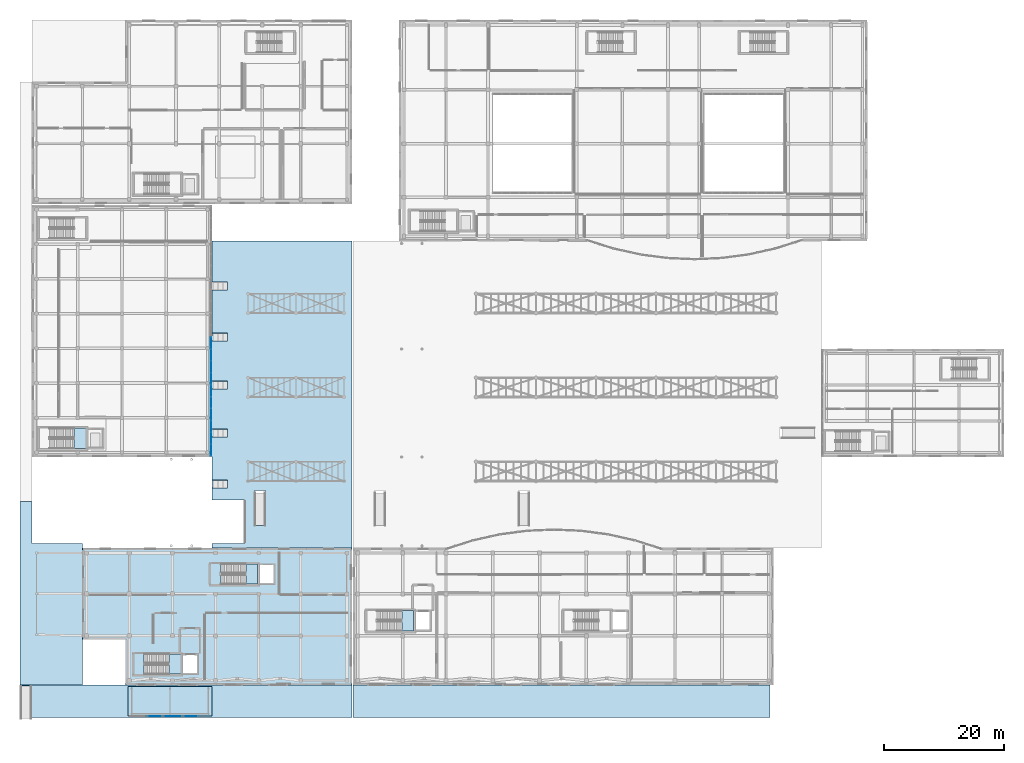
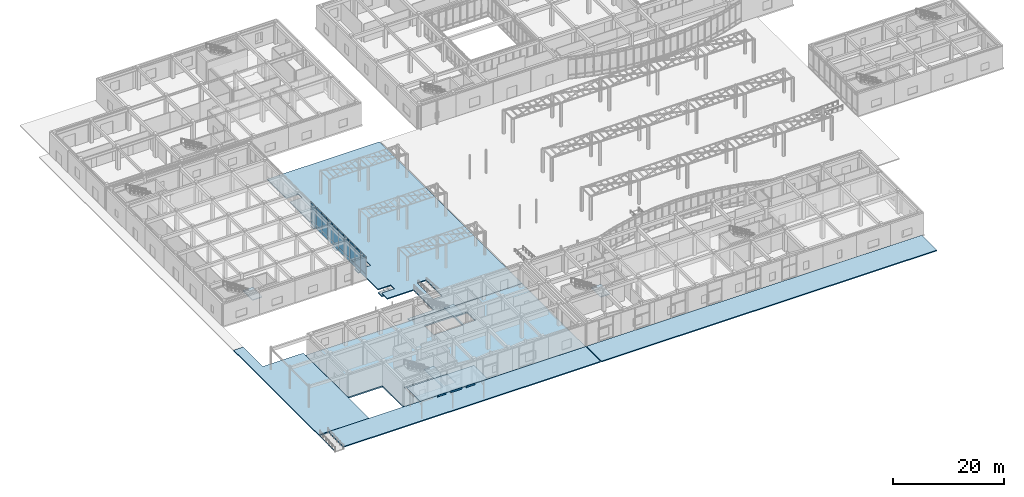
# One storey, part 79 of 121: 33 plates, 14 slabs, 8 elements without a shape of their own.
"""IFC4 building model written with IfcOpenShell, lengths in metres."""

from ifc_helpers import new_model, si_unit, direction, frame, origin, origin_2d, place, context, subcontext, project, spatial, polyline, rectangle, outline, extrude, material, layer, layer_set, type_object, element, aggregate, save


model = new_model("IFC4")

# Units and contexts
model_context = context("Model", 3, precision=1e-05, world=origin(), true_north=direction((0.0, 1.0)))
body_context = subcontext(model_context, "Body", "Model", "MODEL_VIEW")
ifc_project = project(units=[si_unit("LENGTHUNIT", "METRE"), si_unit("AREAUNIT", "SQUARE_METRE"), si_unit("VOLUMEUNIT", "CUBIC_METRE"), si_unit("PLANEANGLEUNIT", "RADIAN"), si_unit("MASSUNIT", "GRAM", prefix="KILO")], contexts=[model_context])

# Site, building, storey
site_placement = place(None, origin())
site = spatial("IfcSite", under=ifc_project, at=site_placement, CompositionType="ELEMENT")
building_placement = place(site_placement, origin())
building = spatial("IfcBuilding", under=site, at=building_placement, Name="Valcora Specialist Clinic", CompositionType="ELEMENT")
storey_placement = place(building_placement, origin())
storey = spatial("IfcBuildingStorey", under=building, at=storey_placement, Name="L00", CompositionType="ELEMENT", Elevation=0.0)

# Curtain wall, plates
ifc_material_1 = material(Name="Anodized Bronze Aluminium 6063-T6", Category="aluminium")
ifc_layer_1 = layer(ifc_material_1, 0.175048828125)
ifc_layer_set_1 = layer_set([ifc_layer_1], Name="Anodized Bronze Aluminium 6063-T6")
curtain_wall_type = type_object("IfcCurtainWallType", Name="TY-CW-HAL18", PredefinedType="NOTDEFINED", material=ifc_layer_set_1)
curtain_wall_1_placement = place(storey_placement, origin())
curtain_wall_1 = element("IfcCurtainWall", 1, at=curtain_wall_1_placement, inside=storey, type_object=curtain_wall_type, Name="Curtain wall CW-L00-004", PredefinedType="NOTDEFINED")
ifc_material_2 = material(Name="Low-E Laminated Insulating Glass", Category="glass")
ifc_layer_2 = layer(ifc_material_2, 0.028076171875)
ifc_layer_set_2 = layer_set([ifc_layer_2], Name="Low-E Laminated Insulating Glass")
plate_type_1 = type_object("IfcPlateType", Name="TY-CWP-GLZ28", PredefinedType="CURTAIN_PANEL", material=ifc_layer_set_2)
plate_1_placement = place(storey_placement, frame((29.85009765625, 57.030517578125, 0.88232421875), z_axis=(0.0, 0.0, 1.0), x_axis=(0.0, -1.0, 0.0)))
plate_1 = element("IfcPlate", 2, at=plate_1_placement, type_object=plate_type_1, Name="CW-HAL-18 panel 3.2", PredefinedType="CURTAIN_PANEL", context=body_context, shape_type="SweptSolid", body=[
    extrude(rectangle(XDim=1.88818359375, YDim=0.028076171875, at=origin_2d()), origin(), (0.0, 0.0, 1.0), 3.344970703125),
])
plate_2_placement = place(storey_placement, frame((29.85009765625, 57.030517578125, 4.29248046875), z_axis=(0.0, 0.0, 1.0), x_axis=(0.0, -1.0, 0.0)))
plate_2 = element("IfcPlate", 3, at=plate_2_placement, type_object=plate_type_1, Name="CW-HAL-18 panel 3.3", PredefinedType="CURTAIN_PANEL", context=body_context, shape_type="SweptSolid", body=[
    extrude(rectangle(XDim=1.88818359375, YDim=0.028076171875, at=origin_2d()), origin(), (0.0, 0.0, 1.0), 0.452392578125),
])

curtain_wall_2_placement = place(storey_placement, origin())
curtain_wall_2 = element("IfcCurtainWall", 4, at=curtain_wall_2_placement, inside=storey, type_object=curtain_wall_type, Name="Curtain wall CW-L00-006", PredefinedType="NOTDEFINED")
plate_3_placement = place(storey_placement, frame((29.85009765625, 49.05517578125, 0.88232421875), z_axis=(0.0, 0.0, 1.0), x_axis=(0.0, -1.0, 0.0)))
plate_3 = element("IfcPlate", 5, at=plate_3_placement, type_object=plate_type_1, Name="CW-HAL-18 panel 1.2", PredefinedType="CURTAIN_PANEL", context=body_context, shape_type="SweptSolid", body=[
    extrude(rectangle(XDim=1.88818359375, YDim=0.028076171875, at=origin_2d()), origin(), (0.0, 0.0, 1.0), 3.344970703125),
])
plate_4_placement = place(storey_placement, frame((29.85009765625, 49.05517578125, 4.29248046875), z_axis=(0.0, 0.0, 1.0), x_axis=(0.0, -1.0, 0.0)))
plate_4 = element("IfcPlate", 6, at=plate_4_placement, type_object=plate_type_1, Name="CW-HAL-18 panel 1.3", PredefinedType="CURTAIN_PANEL", context=body_context, shape_type="SweptSolid", body=[
    extrude(rectangle(XDim=1.88818359375, YDim=0.028076171875, at=origin_2d()), origin(), (0.0, 0.0, 1.0), 0.452392578125),
])
plate_5_placement = place(storey_placement, frame((29.85009765625, 47.085693359375, 0.88232421875), z_axis=(0.0, 0.0, 1.0), x_axis=(0.0, -1.0, 0.0)))
plate_5 = element("IfcPlate", 7, at=plate_5_placement, type_object=plate_type_1, Name="CW-HAL-18 panel 2.2", PredefinedType="CURTAIN_PANEL", context=body_context, shape_type="SweptSolid", body=[
    extrude(rectangle(XDim=1.920654296875, YDim=0.028076171875, at=origin_2d()), origin(), (0.0, 0.0, 1.0), 3.344970703125),
])
plate_6_placement = place(storey_placement, frame((29.85009765625, 47.085693359375, 4.29248046875), z_axis=(0.0, 0.0, 1.0), x_axis=(0.0, -1.0, 0.0)))
plate_6 = element("IfcPlate", 8, at=plate_6_placement, type_object=plate_type_1, Name="CW-HAL-18 panel 2.3", PredefinedType="CURTAIN_PANEL", context=body_context, shape_type="SweptSolid", body=[
    extrude(rectangle(XDim=1.920654296875, YDim=0.028076171875, at=origin_2d()), origin(), (0.0, 0.0, 1.0), 0.452392578125),
])
plate_7_placement = place(storey_placement, frame((29.85009765625, 45.1162109375, 0.88232421875), z_axis=(0.0, 0.0, 1.0), x_axis=(0.0, -1.0, 0.0)))
plate_7 = element("IfcPlate", 9, at=plate_7_placement, type_object=plate_type_1, Name="CW-HAL-18 panel 3.2", PredefinedType="CURTAIN_PANEL", context=body_context, shape_type="SweptSolid", body=[
    extrude(rectangle(XDim=1.88818359375, YDim=0.028076171875, at=origin_2d()), origin(), (0.0, 0.0, 1.0), 3.344970703125),
])
plate_8_placement = place(storey_placement, frame((29.85009765625, 45.1162109375, 4.29248046875), z_axis=(0.0, 0.0, 1.0), x_axis=(0.0, -1.0, 0.0)))
plate_8 = element("IfcPlate", 10, at=plate_8_placement, type_object=plate_type_1, Name="CW-HAL-18 panel 3.3", PredefinedType="CURTAIN_PANEL", context=body_context, shape_type="SweptSolid", body=[
    extrude(rectangle(XDim=1.88818359375, YDim=0.028076171875, at=origin_2d()), origin(), (0.0, 0.0, 1.0), 0.452392578125),
])

curtain_wall_3_placement = place(storey_placement, origin())
curtain_wall_3 = element("IfcCurtainWall", 11, at=curtain_wall_3_placement, inside=storey, type_object=curtain_wall_type, Name="Curtain wall CW-L00-005", PredefinedType="NOTDEFINED")
ifc_layer_3 = layer(ifc_material_2, 0.033935546875)
ifc_layer_set_3 = layer_set([ifc_layer_3], Name="Low-E Laminated Insulating Glass")
plate_type_2 = type_object("IfcPlateType", Name="TY-CWP-GLZ34", PredefinedType="CURTAIN_PANEL", material=ifc_layer_set_3)
plate_9_placement = place(storey_placement, frame((29.85009765625, 55.01220703125, 0.88232421875), z_axis=(0.0, 0.0, 1.0), x_axis=(0.0, -1.0, 0.0)))
plate_9 = element("IfcPlate", 12, at=plate_9_placement, type_object=plate_type_2, Name="CW-HAL-18 panel 1.2", PredefinedType="CURTAIN_PANEL", context=body_context, shape_type="SweptSolid", body=[
    extrude(rectangle(XDim=1.88818359375, YDim=0.033935546875, at=origin_2d()), origin(), (0.0, 0.0, 1.0), 3.344970703125),
])
plate_10_placement = place(storey_placement, frame((29.85009765625, 55.01220703125, 4.29248046875), z_axis=(0.0, 0.0, 1.0), x_axis=(0.0, -1.0, 0.0)))
plate_10 = element("IfcPlate", 13, at=plate_10_placement, type_object=plate_type_2, Name="CW-HAL-18 panel 1.3", PredefinedType="CURTAIN_PANEL", context=body_context, shape_type="SweptSolid", body=[
    extrude(rectangle(XDim=1.88818359375, YDim=0.033935546875, at=origin_2d()), origin(), (0.0, 0.0, 1.0), 0.452392578125),
])
plate_11_placement = place(storey_placement, frame((29.85009765625, 53.04296875, 0.88232421875), z_axis=(0.0, 0.0, 1.0), x_axis=(0.0, -1.0, 0.0)))
plate_11 = element("IfcPlate", 14, at=plate_11_placement, type_object=plate_type_2, Name="CW-HAL-18 panel 2.2", PredefinedType="CURTAIN_PANEL", context=body_context, shape_type="SweptSolid", body=[
    extrude(rectangle(XDim=1.920654296875, YDim=0.033935546875, at=origin_2d()), origin(), (0.0, 0.0, 1.0), 3.344970703125),
])
plate_12_placement = place(storey_placement, frame((29.85009765625, 53.04296875, 4.29248046875), z_axis=(0.0, 0.0, 1.0), x_axis=(0.0, -1.0, 0.0)))
plate_12 = element("IfcPlate", 15, at=plate_12_placement, type_object=plate_type_2, Name="CW-HAL-18 panel 2.3", PredefinedType="CURTAIN_PANEL", context=body_context, shape_type="SweptSolid", body=[
    extrude(rectangle(XDim=1.920654296875, YDim=0.033935546875, at=origin_2d()), origin(), (0.0, 0.0, 1.0), 0.452392578125),
])
plate_13_placement = place(storey_placement, frame((29.85009765625, 51.073486328125, 0.88232421875), z_axis=(0.0, 0.0, 1.0), x_axis=(0.0, -1.0, 0.0)))
plate_13 = element("IfcPlate", 16, at=plate_13_placement, type_object=plate_type_2, Name="CW-HAL-18 panel 3.2", PredefinedType="CURTAIN_PANEL", context=body_context, shape_type="SweptSolid", body=[
    extrude(rectangle(XDim=1.88818359375, YDim=0.033935546875, at=origin_2d()), origin(), (0.0, 0.0, 1.0), 3.344970703125),
])
plate_14_placement = place(storey_placement, frame((29.85009765625, 51.073486328125, 4.29248046875), z_axis=(0.0, 0.0, 1.0), x_axis=(0.0, -1.0, 0.0)))
plate_14 = element("IfcPlate", 17, at=plate_14_placement, type_object=plate_type_2, Name="CW-HAL-18 panel 3.3", PredefinedType="CURTAIN_PANEL", context=body_context, shape_type="SweptSolid", body=[
    extrude(rectangle(XDim=1.88818359375, YDim=0.033935546875, at=origin_2d()), origin(), (0.0, 0.0, 1.0), 0.452392578125),
])

curtain_wall_4_placement = place(storey_placement, origin())
curtain_wall_4 = element("IfcCurtainWall", 18, at=curtain_wall_4_placement, inside=storey, type_object=curtain_wall_type, Name="Curtain wall CW-L00-007", PredefinedType="NOTDEFINED")
plate_15_placement = place(storey_placement, frame((29.85009765625, 43.097900390625, 0.88232421875), z_axis=(0.0, 0.0, 1.0), x_axis=(0.0, -1.0, 0.0)))
plate_15 = element("IfcPlate", 19, at=plate_15_placement, type_object=plate_type_2, Name="CW-HAL-18 panel 1.2", PredefinedType="CURTAIN_PANEL", context=body_context, shape_type="SweptSolid", body=[
    extrude(rectangle(XDim=1.88818359375, YDim=0.033935546875, at=origin_2d()), origin(), (0.0, 0.0, 1.0), 3.344970703125),
])
plate_16_placement = place(storey_placement, frame((29.85009765625, 43.097900390625, 4.29248046875), z_axis=(0.0, 0.0, 1.0), x_axis=(0.0, -1.0, 0.0)))
plate_16 = element("IfcPlate", 20, at=plate_16_placement, type_object=plate_type_2, Name="CW-HAL-18 panel 1.3", PredefinedType="CURTAIN_PANEL", context=body_context, shape_type="SweptSolid", body=[
    extrude(rectangle(XDim=1.88818359375, YDim=0.033935546875, at=origin_2d()), origin(), (0.0, 0.0, 1.0), 0.452392578125),
])
plate_17_placement = place(storey_placement, frame((29.85009765625, 41.128662109375, 0.88232421875), z_axis=(0.0, 0.0, 1.0), x_axis=(0.0, -1.0, 0.0)))
plate_17 = element("IfcPlate", 21, at=plate_17_placement, type_object=plate_type_2, Name="CW-HAL-18 panel 2.2", PredefinedType="CURTAIN_PANEL", context=body_context, shape_type="SweptSolid", body=[
    extrude(rectangle(XDim=1.920654296875, YDim=0.033935546875, at=origin_2d()), origin(), (0.0, 0.0, 1.0), 3.344970703125),
])
plate_18_placement = place(storey_placement, frame((29.85009765625, 41.128662109375, 4.29248046875), z_axis=(0.0, 0.0, 1.0), x_axis=(0.0, -1.0, 0.0)))
plate_18 = element("IfcPlate", 22, at=plate_18_placement, type_object=plate_type_2, Name="CW-HAL-18 panel 2.3", PredefinedType="CURTAIN_PANEL", context=body_context, shape_type="SweptSolid", body=[
    extrude(rectangle(XDim=1.920654296875, YDim=0.033935546875, at=origin_2d()), origin(), (0.0, 0.0, 1.0), 0.452392578125),
])
plate_19_placement = place(storey_placement, frame((29.85009765625, 39.1591796875, 0.88232421875), z_axis=(0.0, 0.0, 1.0), x_axis=(0.0, -1.0, 0.0)))
plate_19 = element("IfcPlate", 23, at=plate_19_placement, type_object=plate_type_2, Name="CW-HAL-18 panel 3.2", PredefinedType="CURTAIN_PANEL", context=body_context, shape_type="SweptSolid", body=[
    extrude(rectangle(XDim=1.88818359375, YDim=0.033935546875, at=origin_2d()), origin(), (0.0, 0.0, 1.0), 3.344970703125),
])
plate_20_placement = place(storey_placement, frame((29.85009765625, 39.1591796875, 4.29248046875), z_axis=(0.0, 0.0, 1.0), x_axis=(0.0, -1.0, 0.0)))
plate_20 = element("IfcPlate", 24, at=plate_20_placement, type_object=plate_type_2, Name="CW-HAL-18 panel 3.3", PredefinedType="CURTAIN_PANEL", context=body_context, shape_type="SweptSolid", body=[
    extrude(rectangle(XDim=1.88818359375, YDim=0.033935546875, at=origin_2d()), origin(), (0.0, 0.0, 1.0), 0.452392578125),
])

# Plate
ifc_material_3 = material(Name="Insulated Spandrel Panel")
ifc_layer_4 = layer(ifc_material_3, 0.044921875)
ifc_layer_set_4 = layer_set([ifc_layer_4], Name="Insulated Spandrel Panel")
plate_type_3 = type_object("IfcPlateType", Name="TY-CWP-SPN45", PredefinedType="SHEET", material=ifc_layer_set_4)
plate_21_placement = place(storey_placement, frame((29.85009765625, 57.030517578125, 0.06494140625), z_axis=(0.0, 0.0, 1.0), x_axis=(0.0, -1.0, 0.0)))
plate_21 = element("IfcPlate", 25, at=plate_21_placement, type_object=plate_type_3, Name="CW-HAL-18 panel 3.1", PredefinedType="SHEET", context=body_context, shape_type="SweptSolid", body=[
    extrude(rectangle(XDim=1.88818359375, YDim=0.044921875, at=origin_2d()), origin(), (0.0, 0.0, 1.0), 0.75244140625),
])

aggregate(curtain_wall_1, [plate_21, plate_1, plate_2])

plate_22_placement = place(storey_placement, frame((29.85009765625, 55.01220703125, 0.06494140625), z_axis=(0.0, 0.0, 1.0), x_axis=(0.0, -1.0, 0.0)))
plate_22 = element("IfcPlate", 26, at=plate_22_placement, type_object=plate_type_3, Name="CW-HAL-18 panel 1.1", PredefinedType="SHEET", context=body_context, shape_type="SweptSolid", body=[
    extrude(rectangle(XDim=1.88818359375, YDim=0.044921875, at=origin_2d()), origin(), (0.0, 0.0, 1.0), 0.75244140625),
])

plate_23_placement = place(storey_placement, frame((29.85009765625, 53.04296875, 0.06494140625), z_axis=(0.0, 0.0, 1.0), x_axis=(0.0, -1.0, 0.0)))
plate_23 = element("IfcPlate", 27, at=plate_23_placement, type_object=plate_type_3, Name="CW-HAL-18 panel 2.1", PredefinedType="SHEET", context=body_context, shape_type="SweptSolid", body=[
    extrude(rectangle(XDim=1.920654296875, YDim=0.044921875, at=origin_2d()), origin(), (0.0, 0.0, 1.0), 0.75244140625),
])

plate_24_placement = place(storey_placement, frame((29.85009765625, 51.073486328125, 0.06494140625), z_axis=(0.0, 0.0, 1.0), x_axis=(0.0, -1.0, 0.0)))
plate_24 = element("IfcPlate", 28, at=plate_24_placement, type_object=plate_type_3, Name="CW-HAL-18 panel 3.1", PredefinedType="SHEET", context=body_context, shape_type="SweptSolid", body=[
    extrude(rectangle(XDim=1.88818359375, YDim=0.044921875, at=origin_2d()), origin(), (0.0, 0.0, 1.0), 0.75244140625),
])

aggregate(curtain_wall_3, [plate_22, plate_9, plate_10, plate_23, plate_11, plate_12, plate_24, plate_13, plate_14])

plate_25_placement = place(storey_placement, frame((29.85009765625, 49.05517578125, 0.06494140625), z_axis=(0.0, 0.0, 1.0), x_axis=(0.0, -1.0, 0.0)))
plate_25 = element("IfcPlate", 29, at=plate_25_placement, type_object=plate_type_3, Name="CW-HAL-18 panel 1.1", PredefinedType="SHEET", context=body_context, shape_type="SweptSolid", body=[
    extrude(rectangle(XDim=1.88818359375, YDim=0.044921875, at=origin_2d()), origin(), (0.0, 0.0, 1.0), 0.75244140625),
])

plate_26_placement = place(storey_placement, frame((29.85009765625, 47.085693359375, 0.06494140625), z_axis=(0.0, 0.0, 1.0), x_axis=(0.0, -1.0, 0.0)))
plate_26 = element("IfcPlate", 30, at=plate_26_placement, type_object=plate_type_3, Name="CW-HAL-18 panel 2.1", PredefinedType="SHEET", context=body_context, shape_type="SweptSolid", body=[
    extrude(rectangle(XDim=1.920654296875, YDim=0.044921875, at=origin_2d()), origin(), (0.0, 0.0, 1.0), 0.75244140625),
])

plate_27_placement = place(storey_placement, frame((29.85009765625, 45.1162109375, 0.06494140625), z_axis=(0.0, 0.0, 1.0), x_axis=(0.0, -1.0, 0.0)))
plate_27 = element("IfcPlate", 31, at=plate_27_placement, type_object=plate_type_3, Name="CW-HAL-18 panel 3.1", PredefinedType="SHEET", context=body_context, shape_type="SweptSolid", body=[
    extrude(rectangle(XDim=1.88818359375, YDim=0.044921875, at=origin_2d()), origin(), (0.0, 0.0, 1.0), 0.75244140625),
])

aggregate(curtain_wall_2, [plate_25, plate_3, plate_4, plate_26, plate_5, plate_6, plate_27, plate_7, plate_8])

plate_28_placement = place(storey_placement, frame((29.85009765625, 43.097900390625, 0.06494140625), z_axis=(0.0, 0.0, 1.0), x_axis=(0.0, -1.0, 0.0)))
plate_28 = element("IfcPlate", 32, at=plate_28_placement, type_object=plate_type_3, Name="CW-HAL-18 panel 1.1", PredefinedType="SHEET", context=body_context, shape_type="SweptSolid", body=[
    extrude(rectangle(XDim=1.88818359375, YDim=0.044921875, at=origin_2d()), origin(), (0.0, 0.0, 1.0), 0.75244140625),
])

plate_29_placement = place(storey_placement, frame((29.85009765625, 41.128662109375, 0.06494140625), z_axis=(0.0, 0.0, 1.0), x_axis=(0.0, -1.0, 0.0)))
plate_29 = element("IfcPlate", 33, at=plate_29_placement, type_object=plate_type_3, Name="CW-HAL-18 panel 2.1", PredefinedType="SHEET", context=body_context, shape_type="SweptSolid", body=[
    extrude(rectangle(XDim=1.920654296875, YDim=0.044921875, at=origin_2d()), origin(), (0.0, 0.0, 1.0), 0.75244140625),
])

plate_30_placement = place(storey_placement, frame((29.85009765625, 39.1591796875, 0.06494140625), z_axis=(0.0, 0.0, 1.0), x_axis=(0.0, -1.0, 0.0)))
plate_30 = element("IfcPlate", 34, at=plate_30_placement, type_object=plate_type_3, Name="CW-HAL-18 panel 3.1", PredefinedType="SHEET", context=body_context, shape_type="SweptSolid", body=[
    extrude(rectangle(XDim=1.88818359375, YDim=0.044921875, at=origin_2d()), origin(), (0.0, 0.0, 1.0), 0.75244140625),
])

aggregate(curtain_wall_4, [plate_28, plate_15, plate_16, plate_29, plate_17, plate_18, plate_30, plate_19, plate_20])

# Plates
ifc_material_4 = material(Name="Steel ASTM A572 Grade 50", Category="steel")
ifc_layer_5 = layer(ifc_material_4, 0.011962890625)
ifc_layer_set_5 = layer_set([ifc_layer_5], Name="Steel ASTM A572 Grade 50")
plate_type_4 = type_object("IfcPlateType", Name="TY-PL-FSC1", PredefinedType="USERDEFINED", material=ifc_layer_set_5)
plate_31_placement = place(storey_placement, frame((23.5, -5.199951171875, 3.840087890625), z_axis=(0.0, 0.0, 1.0), x_axis=(1.0, 0.0, 0.0)))
element("IfcPlate", 35, at=plate_31_placement, inside=storey, type_object=plate_type_4, Name="Canopy fascia plate 3", ObjectType="COVER_PLATE", PredefinedType="USERDEFINED", context=body_context, shape_type="SweptSolid", body=[
    extrude(rectangle(XDim=2.39990234375, YDim=0.011962890625, at=origin_2d()), origin(), (0.0, 0.0, 1.0), 0.419921875),
])
ifc_layer_6 = layer(ifc_material_4, 0.011962890625)
ifc_layer_set_6 = layer_set([ifc_layer_6], Name="Steel ASTM A572 Grade 50")
plate_type_5 = type_object("IfcPlateType", Name="TY-PL-FSC2", PredefinedType="USERDEFINED", material=ifc_layer_set_6)
for number, where, z_axis, x_axis, name in (
    (36, (20.5, -5.199951171875, 3.860107421875), (0.0, 0.0, 1.0), (1.0, 0.0, 0.0), "Canopy fascia plate 2"),
    (37, (26.5, -5.199951171875, 3.860107421875), (0.0, 0.0, 1.0), (1.0, 0.0, 0.0), "Canopy fascia plate 4"),
):
    element("IfcPlate", number, at=place(storey_placement, frame(where, z_axis=z_axis, x_axis=x_axis)), inside=storey, type_object=plate_type_5, Name=name, ObjectType="COVER_PLATE", PredefinedType="USERDEFINED", context=body_context, shape_type="SweptSolid", body=[
        extrude(rectangle(XDim=1.800048828125, YDim=0.011962890625, at=origin_2d()), origin(), (0.0, 0.0, 1.0), 0.3798828125),
    ])

# Slabs
ifc_material_5 = material(Name="Concrete C35/45", Category="concrete")
ifc_layer_7 = layer(ifc_material_5, 0.219970703125)
ifc_layer_set_7 = layer_set([ifc_layer_7], Name="Concrete C35/45")
slab_type_1 = type_object("IfcSlabType", Name="TY-SL-APRN220", PredefinedType="BASESLAB", material=ifc_layer_set_7)
slab_1_placement = place(storey_placement, frame((0.0, 0.0, -0.219970703125)))
element("IfcSlab", 38, at=slab_1_placement, inside=storey, type_object=slab_type_1, Name="South street arrival sidewalk apron (East) SL-L00-026", PredefinedType="BASESLAB", context=body_context, shape_type="SweptSolid", body=[
    extrude(outline(polyline([(123.0, -5.39990234375), (53.5, -5.39990234375), (53.5, -0.0029296875), (123.0, -0.0029296875), (123.0, -5.39990234375)])), origin(), (0.0, 0.0, 1.0), 0.219970703125),
])
slab_2_placement = place(storey_placement, frame((0.0, 0.0, -0.219970703125)))
element("IfcSlab", 39, at=slab_2_placement, inside=storey, type_object=slab_type_1, Name="South street arrival sidewalk apron (West) SL-L00-027", PredefinedType="BASESLAB", context=body_context, shape_type="SweptSolid", body=[
    extrude(outline(polyline([(-2.0, -5.39990234375), (-2.0, 0.0), (15.596923828125, 0.0), (15.596923828125, -0.0029296875), (53.300048828125, -0.0029296875), (53.300048828125, -5.39990234375), (-0.050048828125, -5.39990234375), (-0.050048828125, -0.20068359375), (-1.949951171875, -0.20068359375), (-1.949951171875, -5.39990234375), (-2.0, -5.39990234375)])), origin(), (0.0, 0.0, 1.0), 0.219970703125),
])
slab_3_placement = place(storey_placement, frame((0.0, 0.0, -0.219970703125)))
element("IfcSlab", 40, at=slab_3_placement, inside=storey, type_object=slab_type_1, Name="West forecourt plaza apron SL-L00-028", PredefinedType="BASESLAB", context=body_context, shape_type="SweptSolid", body=[
    extrude(outline(polyline([(8.39990234375, 0.0029296875), (-2.0, 0.0029296875), (-2.0, 30.60009765625), (-0.0029296875, 30.60009765625), (-0.0029296875, 23.56689453125), (8.39990234375, 23.56689453125), (8.39990234375, 22.802978515625), (8.39697265625, 22.802978515625), (8.39697265625, 7.596923828125), (8.39990234375, 7.596923828125), (8.39990234375, 0.0029296875)])), origin(), (0.0, 0.0, 1.0), 0.219970703125),
])
slab_4_placement = place(storey_placement, frame((0.0, 0.0, -0.219970703125)))
element("IfcSlab", 41, at=slab_4_placement, inside=storey, type_object=slab_type_1, Name="Central healing garden paved courtyard (West) SL-L00-032", PredefinedType="BASESLAB", context=body_context, shape_type="SweptSolid", body=[
    extrude(outline(polyline([(53.300048828125, 74.0), (53.300048828125, 22.802978515625), (30.0, 22.802978515625), (30.0, 23.56689453125), (35.419921875, 23.56689453125), (35.419921875, 30.8330078125), (30.0, 30.8330078125), (30.0, 32.820068359375), (32.599365234375, 32.820068359375), (32.599365234375, 34.179931640625), (30.0, 34.179931640625), (30.0, 37.9970703125), (30.0029296875, 37.9970703125), (30.0029296875, 41.320068359375), (32.599365234375, 41.320068359375), (32.599365234375, 42.679931640625), (30.0029296875, 42.679931640625), (30.0029296875, 49.320068359375), (32.599365234375, 49.320068359375), (32.599365234375, 50.679931640625), (30.0029296875, 50.679931640625), (30.0029296875, 57.320068359375), (32.599365234375, 57.320068359375), (32.599365234375, 58.679931640625), (30.0029296875, 58.679931640625), (30.0029296875, 65.820068359375), (32.599365234375, 65.820068359375), (32.599365234375, 67.179931640625), (30.0029296875, 67.179931640625), (30.0029296875, 74.0), (53.300048828125, 74.0)]), holes=[polyline([(38.949951171875, 26.6005859375), (38.949951171875, 32.39990234375), (37.050048828125, 32.39990234375), (37.050048828125, 26.6005859375), (38.949951171875, 26.6005859375)])]), origin(), (0.0, 0.0, 1.0), 0.219970703125),
])
slab_5_placement = place(storey_placement, frame((0.0, 0.0, -0.89990234375)))
element("IfcSlab", 42, at=slab_5_placement, inside=storey, type_object=slab_type_1, Name="Sunken garden terrace pad 1", PredefinedType="BASESLAB", context=body_context, shape_type="SweptSolid", body=[
    extrude(outline(polyline([(30.02001953125, 32.840087890625), (32.580078125, 32.840087890625), (32.580078125, 34.159912109375), (30.02001953125, 34.159912109375), (30.02001953125, 32.840087890625)])), origin(), (0.0, 0.0, 1.0), 0.219970703125),
])
slab_6_placement = place(storey_placement, frame((0.0, 0.0, -0.89990234375)))
element("IfcSlab", 43, at=slab_6_placement, inside=storey, type_object=slab_type_1, Name="Sunken garden terrace pad 2", PredefinedType="BASESLAB", context=body_context, shape_type="SweptSolid", body=[
    extrude(outline(polyline([(30.02001953125, 41.340087890625), (32.580078125, 41.340087890625), (32.580078125, 42.659912109375), (30.02001953125, 42.659912109375), (30.02001953125, 41.340087890625)])), origin(), (0.0, 0.0, 1.0), 0.219970703125),
])
slab_7_placement = place(storey_placement, frame((0.0, 0.0, -0.89990234375)))
element("IfcSlab", 44, at=slab_7_placement, inside=storey, type_object=slab_type_1, Name="Sunken garden terrace pad 3", PredefinedType="BASESLAB", context=body_context, shape_type="SweptSolid", body=[
    extrude(outline(polyline([(30.02001953125, 49.340087890625), (32.580078125, 49.340087890625), (32.580078125, 50.659912109375), (30.02001953125, 50.659912109375), (30.02001953125, 49.340087890625)])), origin(), (0.0, 0.0, 1.0), 0.219970703125),
])
slab_8_placement = place(storey_placement, frame((0.0, 0.0, -0.89990234375)))
element("IfcSlab", 45, at=slab_8_placement, inside=storey, type_object=slab_type_1, Name="Sunken garden terrace pad 4", PredefinedType="BASESLAB", context=body_context, shape_type="SweptSolid", body=[
    extrude(outline(polyline([(30.02001953125, 57.340087890625), (32.580078125, 57.340087890625), (32.580078125, 58.659912109375), (30.02001953125, 58.659912109375), (30.02001953125, 57.340087890625)])), origin(), (0.0, 0.0, 1.0), 0.219970703125),
])
ifc_material_6 = material(Name="Concrete C40/50", Category="concrete")
ifc_layer_8 = layer(ifc_material_6, 0.159912109375)
ifc_layer_set_8 = layer_set([ifc_layer_8], Name="Concrete C40/50")
slab_type_2 = type_object("IfcSlabType", Name="TY-SL-CNP160", PredefinedType="ROOF", material=ifc_layer_set_8)
slab_9_placement = place(storey_placement, frame((0.0, 0.0, 4.0400390625)))
element("IfcSlab", 46, at=slab_9_placement, inside=storey, type_object=slab_type_2, Name="SW Forecourt arrival canopy SL-L00-086", PredefinedType="ROOF", context=body_context, shape_type="SweptSolid", body=[
    extrude(outline(polyline([(16.0, -5.199951171875), (30.0, -5.199951171875), (30.0, -0.25), (16.0, -0.25), (16.0, -5.199951171875)])), origin(), (0.0, 0.0, 1.0), 0.159912109375),
])
ifc_layer_9 = layer(ifc_material_6, 0.31494140625)
ifc_layer_set_9 = layer_set([ifc_layer_9], Name="Concrete C40/50")
slab_type_3 = type_object("IfcSlabType", Name="TY-SL-FLR315", PredefinedType="FLOOR", material=ifc_layer_set_9)
slab_10_placement = place(storey_placement, frame((0.0, 0.0, -0.31494140625)))
element("IfcSlab", 47, at=slab_10_placement, inside=storey, type_object=slab_type_3, Name="V5 L00 structural slab SL-L00-014", PredefinedType="FLOOR", context=body_context, shape_type="SweptSolid", body=[
    extrude(outline(polyline([(15.60009765625, 0.0), (53.300048828125, 0.0), (53.300048828125, 22.800048828125), (8.39990234375, 22.800048828125), (8.39990234375, 7.60009765625), (15.60009765625, 7.60009765625), (15.60009765625, 0.0)]), holes=[polyline([(18.70068359375, 1.800048828125), (24.800048828125, 1.800048828125), (24.800048828125, 5.199951171875), (18.70068359375, 5.199951171875), (18.70068359375, 1.800048828125)]), polyline([(25.1201171875, 2.0), (27.52001953125, 2.0), (27.52001953125, 5.0), (25.1201171875, 5.0), (25.1201171875, 2.0)]), polyline([(31.500732421875, 16.800048828125), (37.60009765625, 16.800048828125), (37.60009765625, 20.199951171875), (31.500732421875, 20.199951171875), (31.500732421875, 16.800048828125)]), polyline([(37.919921875, 17.0), (40.320068359375, 17.0), (40.320068359375, 20.0), (37.919921875, 20.0), (37.919921875, 17.0)])]), origin(), (0.0, 0.0, 1.0), 0.31494140625),
])

# Stair, slab
stair_type = type_object("IfcStairType", Name="TY-ST-DG510", PredefinedType="HALF_TURN_STAIR", material=ifc_material_6)
stair_1_placement = place(storey_placement, origin())
stair_1 = element("IfcStair", 48, at=stair_1_placement, inside=storey, type_object=stair_type, Name="L00 Core C-V1A stair ST-V1A", PredefinedType="HALF_TURN_STAIR")
ifc_layer_10 = layer(ifc_material_6, 0.199951171875)
ifc_layer_set_10 = layer_set([ifc_layer_10], Name="Concrete C40/50")
slab_type_4 = type_object("IfcSlabType", Name="TY-SL-LND200", PredefinedType="LANDING", material=ifc_layer_set_10)
slab_11_placement = place(storey_placement, frame((0.0, 0.0, 2.35009765625)))
slab_11 = element("IfcSlab", 49, at=slab_11_placement, type_object=slab_type_4, Name="ST-V1A landing 1", PredefinedType="LANDING", context=body_context, shape_type="SweptSolid", body=[
    extrude(outline(polyline([(7.030029296875, 39.39990234375), (9.0, 39.39990234375), (9.0, 42.800048828125), (7.030029296875, 42.800048828125), (7.030029296875, 39.39990234375)])), origin(), (0.0, 0.0, 1.0), 0.199951171875),
])
aggregate(stair_1, [slab_11])

stair_2_placement = place(storey_placement, origin())
stair_2 = element("IfcStair", 50, at=stair_2_placement, inside=storey, type_object=stair_type, Name="L00 Core C-V5A stair ST-V5A", PredefinedType="HALF_TURN_STAIR")
slab_12_placement = place(storey_placement, frame((0.0, 0.0, 2.35009765625)))
slab_12 = element("IfcSlab", 51, at=slab_12_placement, type_object=slab_type_4, Name="ST-V5A landing 1", PredefinedType="LANDING", context=body_context, shape_type="SweptSolid", body=[
    extrude(outline(polyline([(22.830078125, 1.800048828125), (24.800048828125, 1.800048828125), (24.800048828125, 5.199951171875), (22.830078125, 5.199951171875), (22.830078125, 1.800048828125)])), origin(), (0.0, 0.0, 1.0), 0.199951171875),
])
aggregate(stair_2, [slab_12])

stair_3_placement = place(storey_placement, origin())
stair_3 = element("IfcStair", 52, at=stair_3_placement, inside=storey, type_object=stair_type, Name="L00 Core C-V5B stair ST-V5B", PredefinedType="HALF_TURN_STAIR")
slab_13_placement = place(storey_placement, frame((0.0, 0.0, 2.35009765625)))
slab_13 = element("IfcSlab", 53, at=slab_13_placement, type_object=slab_type_4, Name="ST-V5B landing 1", PredefinedType="LANDING", context=body_context, shape_type="SweptSolid", body=[
    extrude(outline(polyline([(35.6298828125, 16.800048828125), (37.60009765625, 16.800048828125), (37.60009765625, 20.199951171875), (35.6298828125, 20.199951171875), (35.6298828125, 16.800048828125)])), origin(), (0.0, 0.0, 1.0), 0.199951171875),
])
aggregate(stair_3, [slab_13])

stair_4_placement = place(storey_placement, origin())
stair_4 = element("IfcStair", 54, at=stair_4_placement, inside=storey, type_object=stair_type, Name="L00 Core C-V6A stair ST-V6A", PredefinedType="HALF_TURN_STAIR")
slab_14_placement = place(storey_placement, frame((0.0, 0.0, 2.35009765625)))
slab_14 = element("IfcSlab", 55, at=slab_14_placement, type_object=slab_type_4, Name="ST-V6A landing 1", PredefinedType="LANDING", context=body_context, shape_type="SweptSolid", body=[
    extrude(outline(polyline([(61.6298828125, 9.0), (63.60009765625, 9.0), (63.60009765625, 12.39990234375), (61.6298828125, 12.39990234375), (61.6298828125, 9.0)])), origin(), (0.0, 0.0, 1.0), 0.199951171875),
])
aggregate(stair_4, [slab_14])

save(model, "model.ifc")
